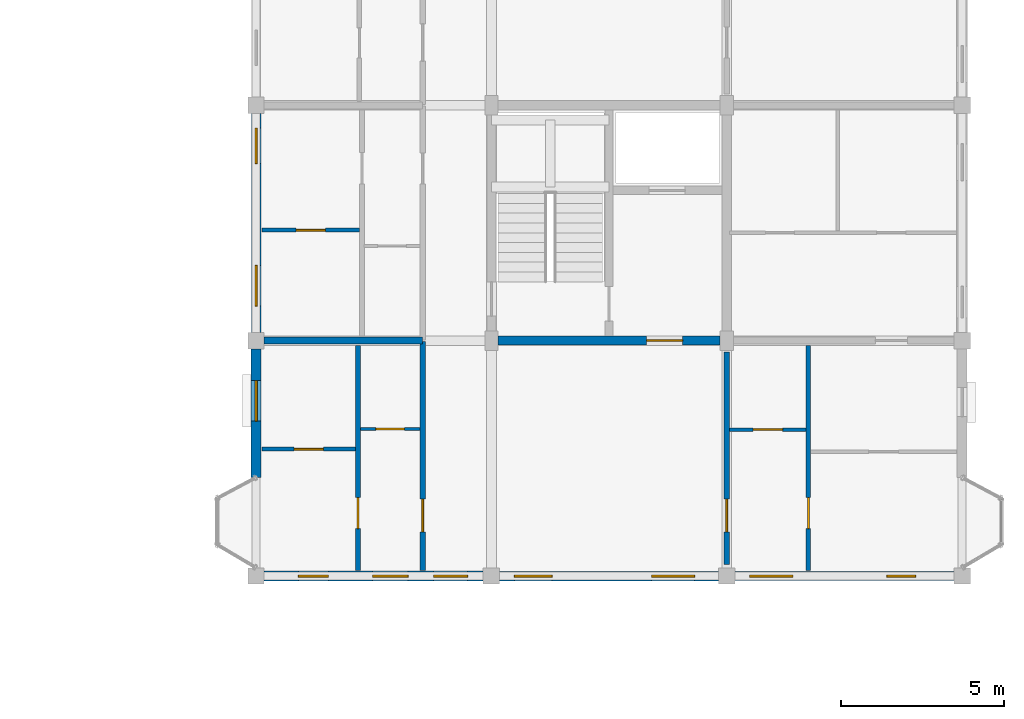
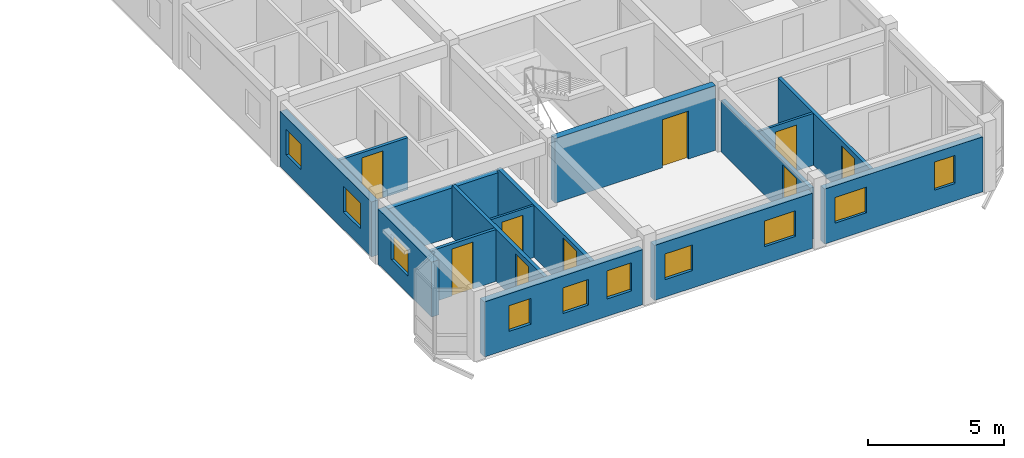
# One storey, part 50 of 65: 15 walls, 10 windows, 9 doors, 19 openings.
"""IFC4 building model written with IfcOpenShell, lengths in metres."""

from ifc_helpers import new_model, si_unit, direction, frame, frame_2d, origin, place, context, subcontext, project, spatial, rectangle, extrude, material, layer, layer_set, type_object, element, fill, save


model = new_model("IFC4")

# Units and contexts
model_context = context("Model", 3, precision=1e-05, world=origin(), true_north=direction((0.0, 1.0)))
body_context = subcontext(model_context, "Body", "Model", "MODEL_VIEW")
ifc_project = project(units=[si_unit("LENGTHUNIT", "METRE"), si_unit("AREAUNIT", "SQUARE_METRE"), si_unit("VOLUMEUNIT", "CUBIC_METRE"), si_unit("PLANEANGLEUNIT", "RADIAN"), si_unit("MASSUNIT", "GRAM", prefix="KILO"), si_unit("THERMODYNAMICTEMPERATUREUNIT", "KELVIN"), si_unit("POWERUNIT", "WATT")], contexts=[model_context])

# Site, building, storey
site_placement = place(None, origin())
site = spatial("IfcSite", under=ifc_project, at=site_placement, CompositionType="ELEMENT")
building_placement = place(site_placement, origin())
building = spatial("IfcBuilding", under=site, at=building_placement, Name="Tavuni Mirador Residences", CompositionType="ELEMENT")
storey_placement = place(building_placement, frame((0.0, 0.0, 29.699951171875)))
storey = spatial("IfcBuildingStorey", under=building, at=storey_placement, Name="L09", CompositionType="ELEMENT", Elevation=29.699951171875)

# Wall, opening, door
ifc_material_1 = material(Name="Precast concrete C40/50", Category="concrete")
ifc_layer_1 = layer(ifc_material_1, 0.280029296875, Name="Precast concrete C40/50", Category="concrete")
ifc_layer_set_1 = layer_set([ifc_layer_1], Name="Precast concrete C40/50")
wall_type_1 = type_object("IfcWallType", Name="WT-COR280", PredefinedType="SHEAR", material=ifc_layer_set_1)
wall_1_placement = place(storey_placement, frame((104.60009765625, 93.60009765625, 0.0), z_axis=(0.0, 0.0, 1.0), x_axis=(1.0, 0.0, 0.0)))
wall_1 = element("IfcWall", 1, at=wall_1_placement, inside=storey, type_object=wall_type_1, Name="CWALL-C7-L09-SS", PredefinedType="SHEAR", context=body_context, shape_type="SweptSolid", body=[
    extrude(rectangle(XDim=6.7998046875, YDim=0.280029296875, at=frame_2d((3.39990234375, 0.0))), origin(), (0.0, 0.0, 1.0), 2.89013671875),
])
opening_1_placement = place(wall_1_placement, frame((4.550048828125, 0.0, 0.0)))
opening_1 = element("IfcOpeningElement", 2, at=opening_1_placement, cuts=wall_1, Name="Opening D-02", PredefinedType="OPENING", context=body_context, shape_type="SweptSolid", body=[
    extrude(rectangle(XDim=1.10009765625, YDim=2.14990234375, at=frame_2d((0.550048828125, 1.074951171875))), frame((0.0, 0.14990234375, 0.0), z_axis=(0.0, -1.0, 0.0), x_axis=(1.0, 0.0, 0.0)), (0.0, 0.0, 1.0), 0.300048828125),
])
ifc_material_2 = material(Name="Solid core iroko timber", Category="wood")
door_type_1 = type_object("IfcDoorType", Name="DT-LOB1100", OperationType="NOTDEFINED", PredefinedType="DOOR", material=ifc_material_2)
door_1_placement = place(opening_1_placement, frame((1.10009765625, 0.0, 0.0), z_axis=(0.0, 0.0, 1.0), x_axis=(-1.0, 0.0, 0.0)))
door_1 = element("IfcDoor", 3, at=door_1_placement, inside=storey, type_object=door_type_1, Name="DR-2302", OperationType="SINGLE_SWING_RIGHT", OverallHeight=2.14990234375, OverallWidth=1.10009765625, PredefinedType="DOOR", context=body_context, shape_type="SweptSolid", body=[
    extrude(rectangle(XDim=1.10009765625, YDim=2.14990234375, at=frame_2d((0.550048828125, 1.074951171875))), frame((0.0, 0.02490234375, 0.0), z_axis=(0.0, -1.0, 0.0), x_axis=(1.0, 0.0, 0.0)), (0.0, 0.0, 1.0), 0.050048828125),
])
fill(opening_1, door_1)

ifc_layer_2 = layer(ifc_material_1, 0.1650390625, Name="Precast concrete C40/50", Category="concrete")
ifc_layer_set_2 = layer_set([ifc_layer_2], Name="Precast concrete C40/50")
wall_type_2 = type_object("IfcWallType", Name="WT-CORR165", PredefinedType="PARTITIONING", material=ifc_layer_set_2)
wall_2_placement = place(storey_placement, frame((102.300048828125, 86.574951171875, 0.0), z_axis=(0.0, 0.0, 1.0), x_axis=(0.0, 1.0, 0.0)))
wall_2 = element("IfcWall", 4, at=wall_2_placement, inside=storey, type_object=wall_type_2, Name="CORW-BLK-D-L09-0-00", PredefinedType="PARTITIONING", context=body_context, shape_type="SweptSolid", body=[
    extrude(rectangle(XDim=7.005126953125, YDim=0.1650390625, at=frame_2d((3.50244140625, 0.0))), origin(), (0.0, 0.0, 1.0), 2.324951171875),
])
opening_2_placement = place(wall_2_placement, frame((1.175048828125, 0.0, 0.0)))
opening_2 = element("IfcOpeningElement", 5, at=opening_2_placement, cuts=wall_2, Name="Opening D-03", PredefinedType="OPENING", context=body_context, shape_type="SweptSolid", body=[
    extrude(rectangle(XDim=1.0, YDim=2.14990234375, at=frame_2d((0.5, 1.074951171875))), frame((0.0, 0.092529296875, 0.0), z_axis=(0.0, -1.0, 0.0), x_axis=(1.0, 0.0, 0.0)), (0.0, 0.0, 1.0), 0.18505859375),
])
door_type_2 = type_object("IfcDoorType", Name="DT-FD60-1000", OperationType="NOTDEFINED", PredefinedType="DOOR", material=ifc_material_2)
door_2_placement = place(opening_2_placement, origin())
door_2 = element("IfcDoor", 6, at=door_2_placement, inside=storey, type_object=door_type_2, Name="DR-2913", OperationType="SINGLE_SWING_RIGHT", OverallHeight=2.14990234375, OverallWidth=1.0, PredefinedType="DOOR", context=body_context, shape_type="SweptSolid", body=[
    extrude(rectangle(XDim=1.0, YDim=2.14990234375, at=frame_2d((0.5, 1.074951171875))), frame((0.0, 0.02490234375, 0.0), z_axis=(0.0, -1.0, 0.0), x_axis=(1.0, 0.0, 0.0)), (0.0, 0.0, 1.0), 0.050048828125),
])
fill(opening_2, door_2)

wall_3_placement = place(storey_placement, frame((111.60009765625, 86.75, 0.0), z_axis=(0.0, 0.0, 1.0), x_axis=(0.0, 1.0, 0.0)))
wall_3 = element("IfcWall", 7, at=wall_3_placement, inside=storey, type_object=wall_type_2, Name="CORW-BLK-D-L09-1-00", PredefinedType="PARTITIONING", context=body_context, shape_type="SweptSolid", body=[
    extrude(rectangle(XDim=6.5, YDim=0.1650390625, at=frame_2d((3.25, 0.0))), origin(), (0.0, 0.0, 1.0), 2.324951171875),
])
opening_3_placement = place(wall_3_placement, frame((1.0, 0.0, 0.0)))
opening_3 = element("IfcOpeningElement", 8, at=opening_3_placement, cuts=wall_3, Name="Opening D-03", PredefinedType="OPENING", context=body_context, shape_type="SweptSolid", body=[
    extrude(rectangle(XDim=1.0, YDim=2.14990234375, at=frame_2d((0.5, 1.074951171875))), frame((0.0, 0.092529296875, 0.0), z_axis=(0.0, -1.0, 0.0), x_axis=(1.0, 0.0, 0.0)), (0.0, 0.0, 1.0), 0.18505859375),
])
door_3_placement = place(opening_3_placement, origin())
door_3 = element("IfcDoor", 9, at=door_3_placement, inside=storey, type_object=door_type_2, Name="DR-2919", OperationType="SINGLE_SWING_RIGHT", OverallHeight=2.14990234375, OverallWidth=1.0, PredefinedType="DOOR", context=body_context, shape_type="SweptSolid", body=[
    extrude(rectangle(XDim=1.0, YDim=2.14990234375, at=frame_2d((0.5, 1.074951171875))), frame((0.0, 0.02490234375, 0.0), z_axis=(0.0, -1.0, 0.0), x_axis=(1.0, 0.0, 0.0)), (0.0, 0.0, 1.0), 0.050048828125),
])
fill(opening_3, door_3)

# Wall, openings, windows
ifc_material_3 = material(Name="Sgraffito lime-rendered precast concrete C40/50", Category="concrete")
ifc_layer_3 = layer(ifc_material_3, 0.27490234375, Name="Sgraffito lime-rendered precast concrete C40/50", Category="concrete")
ifc_layer_set_3 = layer_set([ifc_layer_3], Name="Sgraffito lime-rendered precast concrete C40/50")
wall_type_3 = type_object("IfcWallType", Name="WT-EXT-PC275", PredefinedType="SOLIDWALL", material=ifc_layer_set_3)
wall_4_placement = place(storey_placement, frame((111.85009765625, 86.39990234375, 0.0), z_axis=(0.0, 0.0, 1.0), x_axis=(1.0, 0.0, 0.0)))
wall_4 = element("IfcWall", 10, at=wall_4_placement, inside=storey, type_object=wall_type_3, Name="EW-BLK-D-L09-S02", PredefinedType="SOLIDWALL", context=body_context, shape_type="SweptSolid", body=[
    extrude(rectangle(XDim=6.699951171875, YDim=0.27490234375, at=frame_2d((3.35009765625, 0.0))), origin(), (0.0, 0.0, 1.0), 2.4599609375),
])
opening_4_placement = place(wall_4_placement, frame((0.449951171875, 0.0, 0.780029296875)))
opening_4 = element("IfcOpeningElement", 11, at=opening_4_placement, cuts=wall_4, Name="Opening WN-07", PredefinedType="OPENING", context=body_context, shape_type="SweptSolid", body=[
    extrude(rectangle(XDim=1.320068359375, YDim=1.14990234375, at=frame_2d((0.66015625, 0.574951171875))), frame((0.0, 0.1474609375, 0.0), z_axis=(0.0, -1.0, 0.0), x_axis=(1.0, 0.0, 0.0)), (0.0, 0.0, 1.0), 0.294921875),
])
opening_5_placement = place(wall_4_placement, frame((4.64990234375, 0.0, 0.780029296875)))
opening_5 = element("IfcOpeningElement", 12, at=opening_5_placement, cuts=wall_4, Name="Opening WN-09", PredefinedType="OPENING", context=body_context, shape_type="SweptSolid", body=[
    extrude(rectangle(XDim=0.8798828125, YDim=1.260009765625, at=frame_2d((0.43994140625, 0.6298828125))), frame((0.0, 0.1474609375, 0.0), z_axis=(0.0, -1.0, 0.0), x_axis=(1.0, 0.0, 0.0)), (0.0, 0.0, 1.0), 0.294921875),
])
ifc_material_4 = material(Name="Laminated solar-control glass", Category="glass")
window_type_1 = type_object("IfcWindowType", Name="WNT-07", PartitioningType="SINGLE_PANEL", PredefinedType="WINDOW", material=ifc_material_4)
window_1_placement = place(opening_4_placement, origin())
window_1 = element("IfcWindow", 13, at=window_1_placement, inside=storey, type_object=window_type_1, Name="WIN-1767", OverallHeight=1.14990234375, OverallWidth=1.320068359375, PartitioningType="SINGLE_PANEL", PredefinedType="WINDOW", context=body_context, shape_type="SweptSolid", body=[
    extrude(rectangle(XDim=1.320068359375, YDim=1.14990234375, at=frame_2d((0.66015625, 0.574951171875))), frame((0.0, 0.030029296875, 0.0), z_axis=(0.0, -1.0, 0.0), x_axis=(1.0, 0.0, 0.0)), (0.0, 0.0, 1.0), 0.06005859375),
])
fill(opening_4, window_1)
window_type_2 = type_object("IfcWindowType", Name="WNT-09", PartitioningType="SINGLE_PANEL", PredefinedType="WINDOW", material=ifc_material_4)
window_2_placement = place(opening_5_placement, origin())
window_2 = element("IfcWindow", 14, at=window_2_placement, inside=storey, type_object=window_type_2, Name="WIN-1768", OverallHeight=1.260009765625, OverallWidth=0.8798828125, PartitioningType="SINGLE_PANEL", PredefinedType="WINDOW", context=body_context, shape_type="SweptSolid", body=[
    extrude(rectangle(XDim=0.8798828125, YDim=1.260009765625, at=frame_2d((0.43994140625, 0.6298828125))), frame((0.0, 0.030029296875, 0.0), z_axis=(0.0, -1.0, 0.0), x_axis=(1.0, 0.0, 0.0)), (0.0, 0.0, 1.0), 0.06005859375),
])
fill(opening_5, window_2)

ifc_layer_4 = layer(ifc_material_3, 0.2900390625, Name="Sgraffito lime-rendered precast concrete C40/50", Category="concrete")
ifc_layer_set_4 = layer_set([ifc_layer_4], Name="Sgraffito lime-rendered precast concrete C40/50")
wall_type_4 = type_object("IfcWallType", Name="WT-EXT-PC290", PredefinedType="SOLIDWALL", material=ifc_layer_set_4)
wall_5_placement = place(storey_placement, frame((104.64990234375, 86.39990234375, 0.0), z_axis=(0.0, 0.0, 1.0), x_axis=(1.0, 0.0, 0.0)))
wall_5 = element("IfcWall", 15, at=wall_5_placement, inside=storey, type_object=wall_type_4, Name="EW-BLK-D-L09-S01", PredefinedType="SOLIDWALL", context=body_context, shape_type="SweptSolid", body=[
    extrude(rectangle(XDim=6.7001953125, YDim=0.2900390625, at=frame_2d((3.35009765625, 0.0))), origin(), (0.0, 0.0, 1.0), 2.4599609375),
])
opening_6_placement = place(wall_5_placement, frame((0.449951171875, 0.0, 0.780029296875)))
opening_6 = element("IfcOpeningElement", 16, at=opening_6_placement, cuts=wall_5, Name="Opening WN-05", PredefinedType="OPENING", context=body_context, shape_type="SweptSolid", body=[
    extrude(rectangle(XDim=1.159912109375, YDim=1.14990234375, at=frame_2d((0.580078125, 0.574951171875))), frame((0.0, 0.155029296875, 0.0), z_axis=(0.0, -1.0, 0.0), x_axis=(1.0, 0.0, 0.0)), (0.0, 0.0, 1.0), 0.31005859375),
])
opening_7_placement = place(wall_5_placement, frame((4.64990234375, 0.0, 0.780029296875)))
opening_7 = element("IfcOpeningElement", 17, at=opening_7_placement, cuts=wall_5, Name="Opening WN-07", PredefinedType="OPENING", context=body_context, shape_type="SweptSolid", body=[
    extrude(rectangle(XDim=1.320068359375, YDim=1.14990234375, at=frame_2d((0.66015625, 0.574951171875))), frame((0.0, 0.155029296875, 0.0), z_axis=(0.0, -1.0, 0.0), x_axis=(1.0, 0.0, 0.0)), (0.0, 0.0, 1.0), 0.31005859375),
])
window_type_3 = type_object("IfcWindowType", Name="WNT-05", PartitioningType="SINGLE_PANEL", PredefinedType="WINDOW", material=ifc_material_4)
window_3_placement = place(opening_6_placement, origin())
window_3 = element("IfcWindow", 18, at=window_3_placement, inside=storey, type_object=window_type_3, Name="WIN-1765", OverallHeight=1.14990234375, OverallWidth=1.159912109375, PartitioningType="SINGLE_PANEL", PredefinedType="WINDOW", context=body_context, shape_type="SweptSolid", body=[
    extrude(rectangle(XDim=1.159912109375, YDim=1.14990234375, at=frame_2d((0.580078125, 0.574951171875))), frame((0.0, 0.030029296875, 0.0), z_axis=(0.0, -1.0, 0.0), x_axis=(1.0, 0.0, 0.0)), (0.0, 0.0, 1.0), 0.06005859375),
])
fill(opening_6, window_3)
window_4_placement = place(opening_7_placement, origin())
window_4 = element("IfcWindow", 19, at=window_4_placement, inside=storey, type_object=window_type_1, Name="WIN-1766", OverallHeight=1.14990234375, OverallWidth=1.320068359375, PartitioningType="SINGLE_PANEL", PredefinedType="WINDOW", context=body_context, shape_type="SweptSolid", body=[
    extrude(rectangle(XDim=1.320068359375, YDim=1.14990234375, at=frame_2d((0.66015625, 0.574951171875))), frame((0.0, 0.030029296875, 0.0), z_axis=(0.0, -1.0, 0.0), x_axis=(1.0, 0.0, 0.0)), (0.0, 0.0, 1.0), 0.06005859375),
])
fill(opening_7, window_4)

wall_6_placement = place(storey_placement, frame((97.199951171875, 100.550048828125, 0.0), z_axis=(0.0, 0.0, 1.0), x_axis=(0.0, -1.0, 0.0)))
wall_6 = element("IfcWall", 20, at=wall_6_placement, inside=storey, type_object=wall_type_4, Name="EW-BLK-D-L09-W01", PredefinedType="SOLIDWALL", context=body_context, shape_type="SweptSolid", body=[
    extrude(rectangle(XDim=6.699951171875, YDim=0.2900390625, at=frame_2d((3.35009765625, 0.0))), origin(), (0.0, 0.0, 1.0), 2.4599609375),
])
opening_8_placement = place(wall_6_placement, frame((0.449951171875, 0.0, 0.780029296875)))
opening_8 = element("IfcOpeningElement", 21, at=opening_8_placement, cuts=wall_6, Name="Opening WN-04", PredefinedType="OPENING", context=body_context, shape_type="SweptSolid", body=[
    extrude(rectangle(XDim=1.080078125, YDim=1.14990234375, at=frame_2d((0.5400390625, 0.574951171875))), frame((0.0, 0.155029296875, 0.0), z_axis=(0.0, -1.0, 0.0), x_axis=(1.0, 0.0, 0.0)), (0.0, 0.0, 1.0), 0.31005859375),
])
opening_9_placement = place(wall_6_placement, frame((4.64990234375, 0.0, 0.780029296875)))
opening_9 = element("IfcOpeningElement", 22, at=opening_9_placement, cuts=wall_6, Name="Opening WN-06", PredefinedType="OPENING", context=body_context, shape_type="SweptSolid", body=[
    extrude(rectangle(XDim=1.239990234375, YDim=1.14990234375, at=frame_2d((0.6201171875, 0.574951171875))), frame((0.0, 0.155029296875, 0.0), z_axis=(0.0, -1.0, 0.0), x_axis=(1.0, 0.0, 0.0)), (0.0, 0.0, 1.0), 0.31005859375),
])
window_type_4 = type_object("IfcWindowType", Name="WNT-04", PartitioningType="SINGLE_PANEL", PredefinedType="WINDOW", material=ifc_material_4)
window_5_placement = place(opening_8_placement, origin())
window_5 = element("IfcWindow", 23, at=window_5_placement, inside=storey, type_object=window_type_4, Name="WIN-1794", OverallHeight=1.14990234375, OverallWidth=1.080078125, PartitioningType="SINGLE_PANEL", PredefinedType="WINDOW", context=body_context, shape_type="SweptSolid", body=[
    extrude(rectangle(XDim=1.080078125, YDim=1.14990234375, at=frame_2d((0.5400390625, 0.574951171875))), frame((0.0, 0.030029296875, 0.0), z_axis=(0.0, -1.0, 0.0), x_axis=(1.0, 0.0, 0.0)), (0.0, 0.0, 1.0), 0.06005859375),
])
fill(opening_8, window_5)
window_type_5 = type_object("IfcWindowType", Name="WNT-06", PartitioningType="SINGLE_PANEL", PredefinedType="WINDOW", material=ifc_material_4)
window_6_placement = place(opening_9_placement, origin())
window_6 = element("IfcWindow", 24, at=window_6_placement, inside=storey, type_object=window_type_5, Name="WIN-1795", OverallHeight=1.14990234375, OverallWidth=1.239990234375, PartitioningType="SINGLE_PANEL", PredefinedType="WINDOW", context=body_context, shape_type="SweptSolid", body=[
    extrude(rectangle(XDim=1.239990234375, YDim=1.14990234375, at=frame_2d((0.6201171875, 0.574951171875))), frame((0.0, 0.030029296875, 0.0), z_axis=(0.0, -1.0, 0.0), x_axis=(1.0, 0.0, 0.0)), (0.0, 0.0, 1.0), 0.06005859375),
])
fill(opening_9, window_6)

ifc_layer_5 = layer(ifc_material_3, 0.304931640625, Name="Sgraffito lime-rendered precast concrete C40/50", Category="concrete")
ifc_layer_set_5 = layer_set([ifc_layer_5], Name="Sgraffito lime-rendered precast concrete C40/50")
wall_type_5 = type_object("IfcWallType", Name="WT-EXT-PC305", PredefinedType="SOLIDWALL", material=ifc_layer_set_5)
wall_7_placement = place(storey_placement, frame((97.449951171875, 86.39990234375, 0.0), z_axis=(0.0, 0.0, 1.0), x_axis=(1.0, 0.0, 0.0)))
wall_7 = element("IfcWall", 25, at=wall_7_placement, inside=storey, type_object=wall_type_5, Name="EW-BLK-D-L09-S00", PredefinedType="SOLIDWALL", context=body_context, shape_type="SweptSolid", body=[
    extrude(rectangle(XDim=6.699951171875, YDim=0.304931640625, at=frame_2d((3.35009765625, 0.0))), origin(), (0.0, 0.0, 1.0), 2.4599609375),
])
opening_10_placement = place(wall_7_placement, frame((1.044921875, 0.0, 0.780029296875)))
opening_10 = element("IfcOpeningElement", 26, at=opening_10_placement, cuts=wall_7, Name="Opening WN-02", PredefinedType="OPENING", context=body_context, shape_type="SweptSolid", body=[
    extrude(rectangle(XDim=0.919921875, YDim=1.14990234375, at=frame_2d((0.4599609375, 0.574951171875))), frame((0.0, 0.16259765625, 0.0), z_axis=(0.0, -1.0, 0.0), x_axis=(1.0, 0.0, 0.0)), (0.0, 0.0, 1.0), 0.324951171875),
])
opening_11_placement = place(wall_7_placement, frame((3.320068359375, 0.0, 0.780029296875)))
opening_11 = element("IfcOpeningElement", 27, at=opening_11_placement, cuts=wall_7, Name="Opening WN-04", PredefinedType="OPENING", context=body_context, shape_type="SweptSolid", body=[
    extrude(rectangle(XDim=1.080078125, YDim=1.14990234375, at=frame_2d((0.5400390625, 0.574951171875))), frame((0.0, 0.16259765625, 0.0), z_axis=(0.0, -1.0, 0.0), x_axis=(1.0, 0.0, 0.0)), (0.0, 0.0, 1.0), 0.324951171875),
])
opening_12_placement = place(wall_7_placement, frame((5.18505859375, 0.0, 0.780029296875)))
opening_12 = element("IfcOpeningElement", 28, at=opening_12_placement, cuts=wall_7, Name="Opening WN-11", PredefinedType="OPENING", context=body_context, shape_type="SweptSolid", body=[
    extrude(rectangle(XDim=1.0400390625, YDim=1.260009765625, at=frame_2d((0.52001953125, 0.6298828125))), frame((0.0, 0.16259765625, 0.0), z_axis=(0.0, -1.0, 0.0), x_axis=(1.0, 0.0, 0.0)), (0.0, 0.0, 1.0), 0.324951171875),
])
window_type_6 = type_object("IfcWindowType", Name="WNT-02", PartitioningType="SINGLE_PANEL", PredefinedType="WINDOW", material=ifc_material_4)
window_7_placement = place(opening_10_placement, origin())
window_7 = element("IfcWindow", 29, at=window_7_placement, inside=storey, type_object=window_type_6, Name="WIN-1762", OverallHeight=1.14990234375, OverallWidth=0.919921875, PartitioningType="SINGLE_PANEL", PredefinedType="WINDOW", context=body_context, shape_type="SweptSolid", body=[
    extrude(rectangle(XDim=0.919921875, YDim=1.14990234375, at=frame_2d((0.4599609375, 0.574951171875))), frame((0.0, 0.030029296875, 0.0), z_axis=(0.0, -1.0, 0.0), x_axis=(1.0, 0.0, 0.0)), (0.0, 0.0, 1.0), 0.06005859375),
])
fill(opening_10, window_7)
window_8_placement = place(opening_11_placement, origin())
window_8 = element("IfcWindow", 30, at=window_8_placement, inside=storey, type_object=window_type_4, Name="WIN-1763", OverallHeight=1.14990234375, OverallWidth=1.080078125, PartitioningType="SINGLE_PANEL", PredefinedType="WINDOW", context=body_context, shape_type="SweptSolid", body=[
    extrude(rectangle(XDim=1.080078125, YDim=1.14990234375, at=frame_2d((0.5400390625, 0.574951171875))), frame((0.0, 0.030029296875, 0.0), z_axis=(0.0, -1.0, 0.0), x_axis=(1.0, 0.0, 0.0)), (0.0, 0.0, 1.0), 0.06005859375),
])
fill(opening_11, window_8)
window_type_7 = type_object("IfcWindowType", Name="WNT-11", PartitioningType="SINGLE_PANEL", PredefinedType="WINDOW", material=ifc_material_4)
window_9_placement = place(opening_12_placement, origin())
window_9 = element("IfcWindow", 31, at=window_9_placement, inside=storey, type_object=window_type_7, Name="WIN-1764", OverallHeight=1.260009765625, OverallWidth=1.0400390625, PartitioningType="SINGLE_PANEL", PredefinedType="WINDOW", context=body_context, shape_type="SweptSolid", body=[
    extrude(rectangle(XDim=1.0400390625, YDim=1.260009765625, at=frame_2d((0.52001953125, 0.6298828125))), frame((0.0, 0.030029296875, 0.0), z_axis=(0.0, -1.0, 0.0), x_axis=(1.0, 0.0, 0.0)), (0.0, 0.0, 1.0), 0.06005859375),
])
fill(opening_12, window_9)

# Wall, opening, window
wall_8_placement = place(storey_placement, frame((97.199951171875, 93.35009765625, 0.0), z_axis=(0.0, 0.0, 1.0), x_axis=(0.0, -1.0, 0.0)))
wall_8 = element("IfcWall", 32, at=wall_8_placement, inside=storey, type_object=wall_type_5, Name="EW-BLK-D-L09-W00", PredefinedType="SOLIDWALL", context=body_context, shape_type="SweptSolid", body=[
    extrude(rectangle(XDim=3.93017578125, YDim=0.304931640625, at=frame_2d((1.965087890625, 0.0))), origin(), (0.0, 0.0, 1.0), 2.4599609375),
])
opening_13_placement = place(wall_8_placement, frame((0.969970703125, 0.0, 0.780029296875)))
opening_13 = element("IfcOpeningElement", 33, at=opening_13_placement, cuts=wall_8, Name="Opening WN-06", PredefinedType="OPENING", context=body_context, shape_type="SweptSolid", body=[
    extrude(rectangle(XDim=1.239990234375, YDim=1.14990234375, at=frame_2d((0.6201171875, 0.574951171875))), frame((0.0, 0.16259765625, 0.0), z_axis=(0.0, -1.0, 0.0), x_axis=(1.0, 0.0, 0.0)), (0.0, 0.0, 1.0), 0.324951171875),
])
window_10_placement = place(opening_13_placement, origin())
window_10 = element("IfcWindow", 34, at=window_10_placement, inside=storey, type_object=window_type_5, Name="WIN-1796", OverallHeight=1.14990234375, OverallWidth=1.239990234375, PartitioningType="SINGLE_PANEL", PredefinedType="WINDOW", context=body_context, shape_type="SweptSolid", body=[
    extrude(rectangle(XDim=1.239990234375, YDim=1.14990234375, at=frame_2d((0.6201171875, 0.574951171875))), frame((0.0, 0.030029296875, 0.0), z_axis=(0.0, -1.0, 0.0), x_axis=(1.0, 0.0, 0.0)), (0.0, 0.0, 1.0), 0.06005859375),
])
fill(opening_13, window_10)

# Wall, opening, door
ifc_material_5 = material(Name="Acoustic gypsum and concrete block partition", Category="concrete")
ifc_layer_6 = layer(ifc_material_5, 0.094970703125, Name="Acoustic gypsum and concrete block partition", Category="concrete")
ifc_layer_set_6 = layer_set([ifc_layer_6], Name="Acoustic gypsum and concrete block partition")
wall_type_6 = type_object("IfcWallType", Name="WT-PART095", PredefinedType="PARTITIONING", material=ifc_layer_set_6)
wall_9_placement = place(storey_placement, frame((100.389892578125, 90.89990234375, 0.0), z_axis=(0.0, 0.0, 1.0), x_axis=(1.0, 0.0, 0.0)))
wall_9 = element("IfcWall", 35, at=wall_9_placement, inside=storey, type_object=wall_type_6, Name="PW-BLK-D-L09-W00-IN1", PredefinedType="PARTITIONING", context=body_context, shape_type="SweptSolid", body=[
    extrude(rectangle(XDim=1.820068359375, YDim=0.094970703125, at=frame_2d((0.91015625, 0.0))), origin(), (0.0, 0.0, 1.0), 2.324951171875),
])
opening_14_placement = place(wall_9_placement, frame((0.47509765625, 0.0, 0.0)))
opening_14 = element("IfcOpeningElement", 36, at=opening_14_placement, cuts=wall_9, Name="Opening D-10", PredefinedType="OPENING", context=body_context, shape_type="SweptSolid", body=[
    extrude(rectangle(XDim=0.8701171875, YDim=2.050048828125, at=frame_2d((0.43505859375, 1.02490234375))), frame((0.0, 0.0576171875, 0.0), z_axis=(0.0, -1.0, 0.0), x_axis=(1.0, 0.0, 0.0)), (0.0, 0.0, 1.0), 0.114990234375),
])
door_type_3 = type_object("IfcDoorType", Name="DT-WC870", OperationType="NOTDEFINED", PredefinedType="DOOR", material=ifc_material_2)
door_4_placement = place(opening_14_placement, origin())
door_4 = element("IfcDoor", 37, at=door_4_placement, inside=storey, type_object=door_type_3, Name="DR-4615", OperationType="SINGLE_SWING_RIGHT", OverallHeight=2.050048828125, OverallWidth=0.8701171875, PredefinedType="DOOR", context=body_context, shape_type="SweptSolid", body=[
    extrude(rectangle(XDim=0.8701171875, YDim=2.050048828125, at=frame_2d((0.43505859375, 1.02490234375))), frame((0.0, 0.02490234375, 0.0), z_axis=(0.0, -1.0, 0.0), x_axis=(1.0, 0.0, 0.0)), (0.0, 0.0, 1.0), 0.050048828125),
])
fill(opening_14, door_4)

ifc_layer_7 = layer(ifc_material_5, 0.10498046875, Name="Acoustic gypsum and concrete block partition", Category="concrete")
ifc_layer_set_7 = layer_set([ifc_layer_7], Name="Acoustic gypsum and concrete block partition")
wall_type_7 = type_object("IfcWallType", Name="WT-PART105", PredefinedType="PARTITIONING", material=ifc_layer_set_7)
wall_10_placement = place(storey_placement, frame((111.68994140625, 90.8798828125, 0.0), z_axis=(0.0, 0.0, 1.0), x_axis=(1.0, 0.0, 0.0)))
wall_10 = element("IfcWall", 38, at=wall_10_placement, inside=storey, type_object=wall_type_7, Name="PW-BLK-D-L09-E00-IN1", PredefinedType="PARTITIONING", context=body_context, shape_type="SweptSolid", body=[
    extrude(rectangle(XDim=2.340087890625, YDim=0.10498046875, at=frame_2d((1.169921875, 0.0))), origin(), (0.0, 0.0, 1.0), 2.324951171875),
])
opening_15_placement = place(wall_10_placement, frame((0.719970703125, 0.0, 0.0)))
opening_15 = element("IfcOpeningElement", 39, at=opening_15_placement, cuts=wall_10, Name="Opening D-09", PredefinedType="OPENING", context=body_context, shape_type="SweptSolid", body=[
    extrude(rectangle(XDim=0.89990234375, YDim=2.050048828125, at=frame_2d((0.449951171875, 1.02490234375))), frame((0.0, 0.0625, 0.0), z_axis=(0.0, -1.0, 0.0), x_axis=(1.0, 0.0, 0.0)), (0.0, 0.0, 1.0), 0.125),
])
door_type_4 = type_object("IfcDoorType", Name="DT-WC900", OperationType="NOTDEFINED", PredefinedType="DOOR", material=ifc_material_2)
door_5_placement = place(opening_15_placement, origin())
door_5 = element("IfcDoor", 40, at=door_5_placement, inside=storey, type_object=door_type_4, Name="DR-4618", OperationType="SINGLE_SWING_RIGHT", OverallHeight=2.050048828125, OverallWidth=0.89990234375, PredefinedType="DOOR", context=body_context, shape_type="SweptSolid", body=[
    extrude(rectangle(XDim=0.89990234375, YDim=2.050048828125, at=frame_2d((0.449951171875, 1.02490234375))), frame((0.0, 0.02490234375, 0.0), z_axis=(0.0, -1.0, 0.0), x_axis=(1.0, 0.0, 0.0)), (0.0, 0.0, 1.0), 0.050048828125),
])
fill(opening_15, door_5)

ifc_layer_8 = layer(ifc_material_5, 0.125, Name="Acoustic gypsum and concrete block partition", Category="concrete")
ifc_layer_set_8 = layer_set([ifc_layer_8], Name="Acoustic gypsum and concrete block partition")
wall_type_8 = type_object("IfcWallType", Name="WT-PART125", PredefinedType="PARTITIONING", material=ifc_layer_set_8)
wall_11_placement = place(storey_placement, frame((97.375, 90.280029296875, 0.0), z_axis=(0.0, 0.0, 1.0), x_axis=(1.0, 0.0, 0.0)))
wall_11 = element("IfcWall", 41, at=wall_11_placement, inside=storey, type_object=wall_type_8, Name="PW-BLK-D-L09-W00-OUT", PredefinedType="PARTITIONING", context=body_context, shape_type="SweptSolid", body=[
    extrude(rectangle(XDim=2.875, YDim=0.125, at=frame_2d((1.4375, 0.0))), origin(), (0.0, 0.0, 1.0), 2.324951171875),
])
opening_16_placement = place(wall_11_placement, frame((0.987548828125, 0.0, 0.0)))
opening_16 = element("IfcOpeningElement", 42, at=opening_16_placement, cuts=wall_11, Name="Opening D-07", PredefinedType="OPENING", context=body_context, shape_type="SweptSolid", body=[
    extrude(rectangle(XDim=0.89990234375, YDim=2.10009765625, at=frame_2d((0.449951171875, 1.050048828125))), frame((0.0, 0.072509765625, 0.0), z_axis=(0.0, -1.0, 0.0), x_axis=(1.0, 0.0, 0.0)), (0.0, 0.0, 1.0), 0.14501953125),
])
door_type_5 = type_object("IfcDoorType", Name="DT-BED900", OperationType="NOTDEFINED", PredefinedType="DOOR", material=ifc_material_2)
door_6_placement = place(opening_16_placement, origin())
door_6 = element("IfcDoor", 43, at=door_6_placement, inside=storey, type_object=door_type_5, Name="DR-4614", OperationType="SINGLE_SWING_LEFT", OverallHeight=2.10009765625, OverallWidth=0.89990234375, PredefinedType="DOOR", context=body_context, shape_type="SweptSolid", body=[
    extrude(rectangle(XDim=0.89990234375, YDim=2.10009765625, at=frame_2d((0.449951171875, 1.050048828125))), frame((0.0, 0.02490234375, 0.0), z_axis=(0.0, -1.0, 0.0), x_axis=(1.0, 0.0, 0.0)), (0.0, 0.0, 1.0), 0.050048828125),
])
fill(opening_16, door_6)

wall_12_placement = place(storey_placement, frame((97.375, 96.97998046875, 0.0), z_axis=(0.0, 0.0, 1.0), x_axis=(1.0, 0.0, 0.0)))
wall_12 = element("IfcWall", 44, at=wall_12_placement, inside=storey, type_object=wall_type_8, Name="PW-BLK-D-L09-W01-OUT", PredefinedType="PARTITIONING", context=body_context, shape_type="SweptSolid", body=[
    extrude(rectangle(XDim=2.9951171875, YDim=0.125, at=frame_2d((1.49755859375, 0.0))), origin(), (0.0, 0.0, 1.0), 2.324951171875),
])
opening_17_placement = place(wall_12_placement, frame((1.047607421875, 0.0, 0.0)))
opening_17 = element("IfcOpeningElement", 45, at=opening_17_placement, cuts=wall_12, Name="Opening D-07", PredefinedType="OPENING", context=body_context, shape_type="SweptSolid", body=[
    extrude(rectangle(XDim=0.89990234375, YDim=2.10009765625, at=frame_2d((0.449951171875, 1.050048828125))), frame((0.0, 0.072509765625, 0.0), z_axis=(0.0, -1.0, 0.0), x_axis=(1.0, 0.0, 0.0)), (0.0, 0.0, 1.0), 0.14501953125),
])
door_7_placement = place(opening_17_placement, origin())
door_7 = element("IfcDoor", 46, at=door_7_placement, inside=storey, type_object=door_type_5, Name="DR-4620", OperationType="SINGLE_SWING_LEFT", OverallHeight=2.10009765625, OverallWidth=0.89990234375, PredefinedType="DOOR", context=body_context, shape_type="SweptSolid", body=[
    extrude(rectangle(XDim=0.89990234375, YDim=2.10009765625, at=frame_2d((0.449951171875, 1.050048828125))), frame((0.0, 0.02490234375, 0.0), z_axis=(0.0, -1.0, 0.0), x_axis=(1.0, 0.0, 0.0)), (0.0, 0.0, 1.0), 0.050048828125),
])
fill(opening_17, door_7)

ifc_layer_9 = layer(ifc_material_5, 0.139892578125, Name="Acoustic gypsum and concrete block partition", Category="concrete")
ifc_layer_set_9 = layer_set([ifc_layer_9], Name="Acoustic gypsum and concrete block partition")
wall_type_9 = type_object("IfcWallType", Name="WT-PART140", PredefinedType="PARTITIONING", material=ifc_layer_set_9)
wall_13_placement = place(storey_placement, frame((114.10009765625, 86.574951171875, 0.0), z_axis=(0.0, 0.0, 1.0), x_axis=(0.0, 1.0, 0.0)))
wall_13 = element("IfcWall", 47, at=wall_13_placement, inside=storey, type_object=wall_type_9, Name="PW-BLK-D-L09-E00-MID", PredefinedType="PARTITIONING", context=body_context, shape_type="SweptSolid", body=[
    extrude(rectangle(XDim=6.885009765625, YDim=0.139892578125, at=frame_2d((3.4423828125, 0.0))), origin(), (0.0, 0.0, 1.0), 2.324951171875),
])
opening_18_placement = place(wall_13_placement, frame((1.27490234375, 0.0, 0.0)))
opening_18 = element("IfcOpeningElement", 48, at=opening_18_placement, cuts=wall_13, Name="Opening D-05", PredefinedType="OPENING", context=body_context, shape_type="SweptSolid", body=[
    extrude(rectangle(XDim=0.949951171875, YDim=2.10009765625, at=frame_2d((0.47509765625, 1.050048828125))), frame((0.0, 0.080078125, 0.0), z_axis=(0.0, -1.0, 0.0), x_axis=(1.0, 0.0, 0.0)), (0.0, 0.0, 1.0), 0.159912109375),
])
door_type_6 = type_object("IfcDoorType", Name="DT-INT950", OperationType="NOTDEFINED", PredefinedType="DOOR", material=ifc_material_2)
door_8_placement = place(opening_18_placement, origin())
door_8 = element("IfcDoor", 49, at=door_8_placement, inside=storey, type_object=door_type_6, Name="DR-4619", OperationType="SINGLE_SWING_LEFT", OverallHeight=2.10009765625, OverallWidth=0.949951171875, PredefinedType="DOOR", context=body_context, shape_type="SweptSolid", body=[
    extrude(rectangle(XDim=0.949951171875, YDim=2.10009765625, at=frame_2d((0.47509765625, 1.050048828125))), frame((0.0, 0.02490234375, 0.0), z_axis=(0.0, -1.0, 0.0), x_axis=(1.0, 0.0, 0.0)), (0.0, 0.0, 1.0), 0.050048828125),
])
fill(opening_18, door_8)

ifc_layer_10 = layer(ifc_material_5, 0.14990234375, Name="Acoustic gypsum and concrete block partition", Category="concrete")
ifc_layer_set_10 = layer_set([ifc_layer_10], Name="Acoustic gypsum and concrete block partition")
wall_type_10 = type_object("IfcWallType", Name="WT-PART150", PredefinedType="PARTITIONING", material=ifc_layer_set_10)
wall_14_placement = place(storey_placement, frame((100.320068359375, 86.574951171875, 0.0), z_axis=(0.0, 0.0, 1.0), x_axis=(0.0, 1.0, 0.0)))
wall_14 = element("IfcWall", 50, at=wall_14_placement, inside=storey, type_object=wall_type_10, Name="PW-BLK-D-L09-W00-MID", PredefinedType="PARTITIONING", context=body_context, shape_type="SweptSolid", body=[
    extrude(rectangle(XDim=6.885009765625, YDim=0.14990234375, at=frame_2d((3.4423828125, 0.0))), origin(), (0.0, 0.0, 1.0), 2.324951171875),
])
opening_19_placement = place(wall_14_placement, frame((1.27490234375, 0.0, 0.0)))
opening_19 = element("IfcOpeningElement", 51, at=opening_19_placement, cuts=wall_14, Name="Opening D-05", PredefinedType="OPENING", context=body_context, shape_type="SweptSolid", body=[
    extrude(rectangle(XDim=0.949951171875, YDim=2.10009765625, at=frame_2d((0.47509765625, 1.050048828125))), frame((0.0, 0.0849609375, 0.0), z_axis=(0.0, -1.0, 0.0), x_axis=(1.0, 0.0, 0.0)), (0.0, 0.0, 1.0), 0.169921875),
])
door_9_placement = place(opening_19_placement, origin())
door_9 = element("IfcDoor", 52, at=door_9_placement, inside=storey, type_object=door_type_6, Name="DR-4616", OperationType="SINGLE_SWING_LEFT", OverallHeight=2.10009765625, OverallWidth=0.949951171875, PredefinedType="DOOR", context=body_context, shape_type="SweptSolid", body=[
    extrude(rectangle(XDim=0.949951171875, YDim=2.10009765625, at=frame_2d((0.47509765625, 1.050048828125))), frame((0.0, 0.02490234375, 0.0), z_axis=(0.0, -1.0, 0.0), x_axis=(1.0, 0.0, 0.0)), (0.0, 0.0, 1.0), 0.050048828125),
])
fill(opening_19, door_9)

# Wall
ifc_layer_11 = layer(ifc_material_1, 0.215087890625, Name="Precast concrete C40/50", Category="concrete")
ifc_layer_set_11 = layer_set([ifc_layer_11], Name="Precast concrete C40/50")
wall_type_11 = type_object("IfcWallType", Name="WT-XW215", PredefinedType="SOLIDWALL", material=ifc_layer_set_11)
wall_15_placement = place(storey_placement, frame((97.449951171875, 93.60009765625, 0.0), z_axis=(0.0, 0.0, 1.0), x_axis=(1.0, 0.0, 0.0)))
element("IfcWall", 53, at=wall_15_placement, inside=storey, type_object=wall_type_11, Name="XW-BLK-D-L09-W-01", PredefinedType="SOLIDWALL", context=body_context, shape_type="SweptSolid", body=[
    extrude(rectangle(XDim=4.85009765625, YDim=0.215087890625, at=frame_2d((2.425048828125, 0.0))), origin(), (0.0, 0.0, 1.0), 2.18994140625),
])

save(model, "model.ifc")
